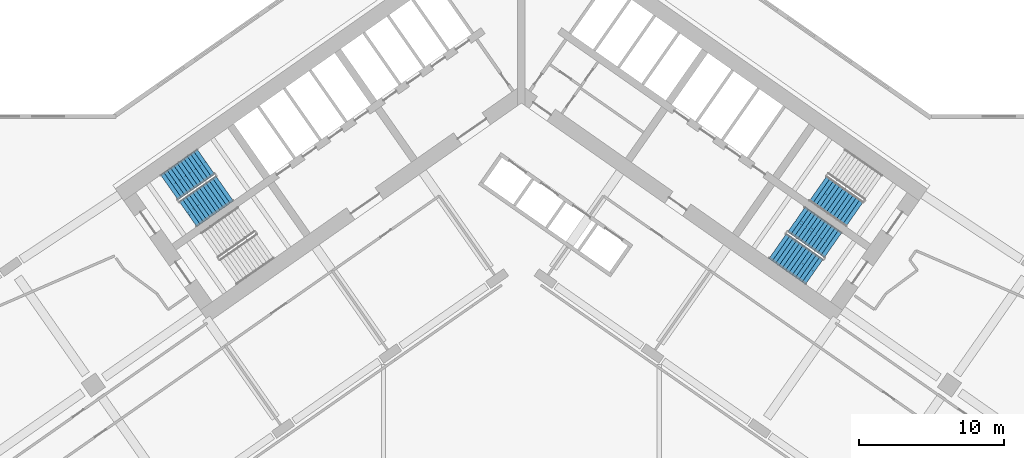
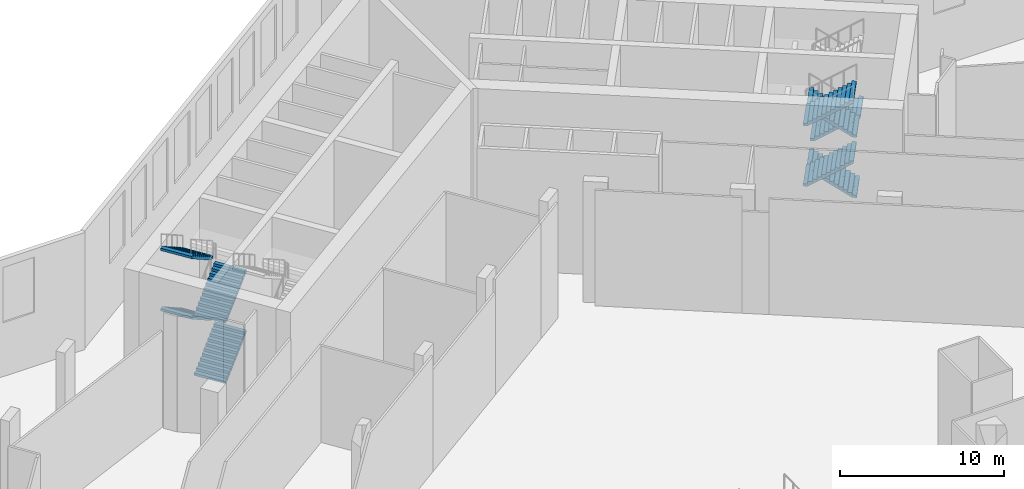
# One storey, part 17 of 27: 9 stair flights, 3 elements without a shape of their own.
"""IFC4 building model written with IfcOpenShell, lengths in metres."""

from ifc_helpers import new_model, si_unit, direction, frame, origin, place, context, subcontext, project, spatial, polyline, outline, extrude, material, type_object, element, aggregate, save


model = new_model("IFC4")

# Units and contexts
model_context = context("Model", 3, precision=1e-05, world=origin(), true_north=direction((0.0, 1.0)))
body_context = subcontext(model_context, "Body", "Model", "MODEL_VIEW")
ifc_project = project(units=[si_unit("LENGTHUNIT", "METRE"), si_unit("AREAUNIT", "SQUARE_METRE"), si_unit("VOLUMEUNIT", "CUBIC_METRE"), si_unit("PLANEANGLEUNIT", "RADIAN"), si_unit("MASSUNIT", "GRAM", prefix="KILO")], contexts=[model_context])

# Site, building, storey
site_placement = place(None, origin())
site = spatial("IfcSite", under=ifc_project, at=site_placement, CompositionType="ELEMENT")
building_placement = place(site_placement, origin())
building = spatial("IfcBuilding", under=site, at=building_placement, Name="Tel Ilan Convention Tower", CompositionType="ELEMENT")
storey_placement = place(building_placement, frame((0.0, 0.0, 9.0)))
storey = spatial("IfcBuildingStorey", under=building, at=storey_placement, Name="L01", CompositionType="ELEMENT", Elevation=9.0)

# Stair, stair flights
ifc_material_1 = material(Name="Concrete C40/50", Category="concrete")
stair_type = type_object("IfcStairType", Name="Pressurised Exit Stair 48 risers 188 mm", PredefinedType="HALF_TURN_STAIR", material=ifc_material_1)
stair_1_placement = place(storey_placement, origin())
stair_1 = element("IfcStair", 1, at=stair_1_placement, inside=storey, type_object=stair_type, Name="L01 Pressurised Stair S1", PredefinedType="HALF_TURN_STAIR")
ifc_material_2 = material(Name="Precast Concrete C40/50", Category="concrete")
stair_flight_type = type_object("IfcStairFlightType", Name="Concrete Stair Flight 2100 mm 48 risers 188 mm", PredefinedType="STRAIGHT", material=ifc_material_2)
stair_flight_1_placement = place(storey_placement, frame((-22.9619140625, -8.87548828125, 0.0), z_axis=(0.0, 0.0, 1.0), x_axis=(0.819152044289, 0.573576436351, 0.0)))
stair_flight_1 = element("IfcStairFlight", 2, at=stair_flight_1_placement, type_object=stair_flight_type, Name="S1 flight 1", NumberOfRisers=12, NumberOfTreads=11, PredefinedType="STRAIGHT", RiserHeight=0.1875, TreadLength=0.28, context=body_context, shape_type="SweptSolid", body=[
    extrude(outline(polyline([(0.0, 0.0), (0.0, 0.1875), (0.280029296875, 0.1875), (0.280029296875, 0.375), (0.56005859375, 0.375), (0.56005859375, 0.5625), (0.840087890625, 0.5625), (0.840087890625, 0.75), (1.1201171875, 0.75), (1.1201171875, 0.9375), (1.39990234375, 0.9375), (1.39990234375, 1.125), (1.679931640625, 1.125), (1.679931640625, 1.3125), (1.9599609375, 1.3125), (1.9599609375, 1.5), (2.239990234375, 1.5), (2.239990234375, 1.6875), (2.52001953125, 1.6875), (2.52001953125, 1.875), (2.800048828125, 1.875), (2.800048828125, 2.0625), (3.080078125, 2.0625), (3.080078125, 2.25), (3.080078125, 1.882080078125), (0.26953125, 0.0), (0.0, 0.0)])), frame((0.0, -0.100341796875, 0.0), z_axis=(0.0, -1.0, 0.0), x_axis=(1.0, 0.0, 0.0)), (0.0, 0.0, 1.0), 0.94970703125),
    extrude(outline(polyline([(0.0, 0.0), (0.0, 0.1875), (0.280029296875, 0.1875), (0.280029296875, 0.375), (0.56005859375, 0.375), (0.56005859375, 0.5625), (0.840087890625, 0.5625), (0.840087890625, 0.75), (1.1201171875, 0.75), (1.1201171875, 0.9375), (1.39990234375, 0.9375), (1.39990234375, 1.125), (1.679931640625, 1.125), (1.679931640625, 1.3125), (1.9599609375, 1.3125), (1.9599609375, 1.5), (2.239990234375, 1.5), (2.239990234375, 1.6875), (2.52001953125, 1.6875), (2.52001953125, 1.875), (2.800048828125, 1.875), (2.800048828125, 2.0625), (3.080078125, 2.0625), (3.080078125, 2.25), (3.080078125, 1.882080078125), (0.26953125, 0.0), (0.0, 0.0)])), frame((0.0, -0.000244140625, 0.0), z_axis=(0.0, -1.0, 0.0), x_axis=(1.0, 0.0, 0.0)), (0.0, 0.0, 1.0), 0.099609375),
    extrude(outline(polyline([(0.0, 0.0), (0.0, 0.1875), (0.280029296875, 0.1875), (0.280029296875, 0.375), (0.56005859375, 0.375), (0.56005859375, 0.5625), (0.840087890625, 0.5625), (0.840087890625, 0.75), (1.1201171875, 0.75), (1.1201171875, 0.9375), (1.39990234375, 0.9375), (1.39990234375, 1.125), (1.679931640625, 1.125), (1.679931640625, 1.3125), (1.9599609375, 1.3125), (1.9599609375, 1.5), (2.239990234375, 1.5), (2.239990234375, 1.6875), (2.52001953125, 1.6875), (2.52001953125, 1.875), (2.800048828125, 1.875), (2.800048828125, 2.0625), (3.080078125, 2.0625), (3.080078125, 2.25), (3.080078125, 1.882080078125), (0.26953125, 0.0), (0.0, 0.0)])), frame((0.0, 0.099853515625, 0.0), z_axis=(0.0, -1.0, 0.0), x_axis=(1.0, 0.0, 0.0)), (0.0, 0.0, 1.0), 0.099609375),
    extrude(outline(polyline([(0.0, 0.0), (0.0, 0.1875), (0.280029296875, 0.1875), (0.280029296875, 0.375), (0.56005859375, 0.375), (0.56005859375, 0.5625), (0.840087890625, 0.5625), (0.840087890625, 0.75), (1.1201171875, 0.75), (1.1201171875, 0.9375), (1.39990234375, 0.9375), (1.39990234375, 1.125), (1.679931640625, 1.125), (1.679931640625, 1.3125), (1.9599609375, 1.3125), (1.9599609375, 1.5), (2.239990234375, 1.5), (2.239990234375, 1.6875), (2.52001953125, 1.6875), (2.52001953125, 1.875), (2.800048828125, 1.875), (2.800048828125, 2.0625), (3.080078125, 2.0625), (3.080078125, 2.25), (3.080078125, 1.882080078125), (0.26953125, 0.0), (0.0, 0.0)])), frame((0.0, 1.050048828125, 0.0), z_axis=(0.0, -1.0, 0.0), x_axis=(1.0, 0.0, 0.0)), (0.0, 0.0, 1.0), 0.94970703125),
])
stair_flight_2_placement = place(storey_placement, frame((-21.7294921875, -5.265869140625, 2.25), z_axis=(0.0, 0.0, 1.0), x_axis=(-0.819152044289, -0.573576436351, 0.0)))
stair_flight_2 = element("IfcStairFlight", 3, at=stair_flight_2_placement, type_object=stair_flight_type, Name="S1 flight 2", NumberOfRisers=12, NumberOfTreads=11, PredefinedType="STRAIGHT", RiserHeight=0.1875, TreadLength=0.28, context=body_context, shape_type="SweptSolid", body=[
    extrude(outline(polyline([(0.0, 0.0), (0.0, 0.1875), (0.280029296875, 0.1875), (0.280029296875, 0.375), (0.56005859375, 0.375), (0.56005859375, 0.5625), (0.840087890625, 0.5625), (0.840087890625, 0.75), (1.1201171875, 0.75), (1.1201171875, 0.9375), (1.39990234375, 0.9375), (1.39990234375, 1.125), (1.679931640625, 1.125), (1.679931640625, 1.3125), (1.9599609375, 1.3125), (1.9599609375, 1.5), (2.239990234375, 1.5), (2.239990234375, 1.6875), (2.52001953125, 1.6875), (2.52001953125, 1.875), (2.800048828125, 1.875), (2.800048828125, 2.0625), (3.080078125, 2.0625), (3.080078125, 2.25), (3.080078125, 1.882080078125), (0.26953125, 0.0), (0.0, 0.0)])), frame((0.0, -0.100341796875, 0.0), z_axis=(0.0, -1.0, 0.0), x_axis=(1.0, 0.0, 0.0)), (0.0, 0.0, 1.0), 0.94970703125),
    extrude(outline(polyline([(0.0, 0.0), (0.0, 0.1875), (0.280029296875, 0.1875), (0.280029296875, 0.375), (0.56005859375, 0.375), (0.56005859375, 0.5625), (0.840087890625, 0.5625), (0.840087890625, 0.75), (1.1201171875, 0.75), (1.1201171875, 0.9375), (1.39990234375, 0.9375), (1.39990234375, 1.125), (1.679931640625, 1.125), (1.679931640625, 1.3125), (1.9599609375, 1.3125), (1.9599609375, 1.5), (2.239990234375, 1.5), (2.239990234375, 1.6875), (2.52001953125, 1.6875), (2.52001953125, 1.875), (2.800048828125, 1.875), (2.800048828125, 2.0625), (3.080078125, 2.0625), (3.080078125, 2.25), (3.080078125, 1.882080078125), (0.26953125, 0.0), (0.0, 0.0)])), frame((0.0, -0.000244140625, 0.0), z_axis=(0.0, -1.0, 0.0), x_axis=(1.0, 0.0, 0.0)), (0.0, 0.0, 1.0), 0.099609375),
    extrude(outline(polyline([(0.0, 0.0), (0.0, 0.1875), (0.280029296875, 0.1875), (0.280029296875, 0.375), (0.56005859375, 0.375), (0.56005859375, 0.5625), (0.840087890625, 0.5625), (0.840087890625, 0.75), (1.1201171875, 0.75), (1.1201171875, 0.9375), (1.39990234375, 0.9375), (1.39990234375, 1.125), (1.679931640625, 1.125), (1.679931640625, 1.3125), (1.9599609375, 1.3125), (1.9599609375, 1.5), (2.239990234375, 1.5), (2.239990234375, 1.6875), (2.52001953125, 1.6875), (2.52001953125, 1.875), (2.800048828125, 1.875), (2.800048828125, 2.0625), (3.080078125, 2.0625), (3.080078125, 2.25), (3.080078125, 1.882080078125), (0.26953125, 0.0), (0.0, 0.0)])), frame((0.0, 0.099853515625, 0.0), z_axis=(0.0, -1.0, 0.0), x_axis=(1.0, 0.0, 0.0)), (0.0, 0.0, 1.0), 0.099609375),
    extrude(outline(polyline([(0.0, 0.0), (0.0, 0.1875), (0.280029296875, 0.1875), (0.280029296875, 0.375), (0.56005859375, 0.375), (0.56005859375, 0.5625), (0.840087890625, 0.5625), (0.840087890625, 0.75), (1.1201171875, 0.75), (1.1201171875, 0.9375), (1.39990234375, 0.9375), (1.39990234375, 1.125), (1.679931640625, 1.125), (1.679931640625, 1.3125), (1.9599609375, 1.3125), (1.9599609375, 1.5), (2.239990234375, 1.5), (2.239990234375, 1.6875), (2.52001953125, 1.6875), (2.52001953125, 1.875), (2.800048828125, 1.875), (2.800048828125, 2.0625), (3.080078125, 2.0625), (3.080078125, 2.25), (3.080078125, 1.882080078125), (0.26953125, 0.0), (0.0, 0.0)])), frame((0.0, 1.050048828125, 0.0), z_axis=(0.0, -1.0, 0.0), x_axis=(1.0, 0.0, 0.0)), (0.0, 0.0, 1.0), 0.94970703125),
])
stair_flight_3_placement = place(storey_placement, frame((-22.9619140625, -8.87548828125, 4.5), z_axis=(0.0, 0.0, 1.0), x_axis=(0.819152044289, 0.573576436351, 0.0)))
stair_flight_3 = element("IfcStairFlight", 4, at=stair_flight_3_placement, type_object=stair_flight_type, Name="S1 flight 3", NumberOfRisers=12, NumberOfTreads=11, PredefinedType="STRAIGHT", RiserHeight=0.1875, TreadLength=0.28, context=body_context, shape_type="SweptSolid", body=[
    extrude(outline(polyline([(0.0, 0.0), (0.0, 0.1875), (0.280029296875, 0.1875), (0.280029296875, 0.375), (0.56005859375, 0.375), (0.56005859375, 0.5625), (0.840087890625, 0.5625), (0.840087890625, 0.75), (1.1201171875, 0.75), (1.1201171875, 0.9375), (1.39990234375, 0.9375), (1.39990234375, 1.125), (1.679931640625, 1.125), (1.679931640625, 1.3125), (1.9599609375, 1.3125), (1.9599609375, 1.5), (2.239990234375, 1.5), (2.239990234375, 1.6875), (2.52001953125, 1.6875), (2.52001953125, 1.875), (2.800048828125, 1.875), (2.800048828125, 2.0625), (3.080078125, 2.0625), (3.080078125, 2.25), (3.080078125, 1.882080078125), (0.26953125, 0.0), (0.0, 0.0)])), frame((0.0, -0.100341796875, 0.0), z_axis=(0.0, -1.0, 0.0), x_axis=(1.0, 0.0, 0.0)), (0.0, 0.0, 1.0), 0.94970703125),
    extrude(outline(polyline([(0.0, 0.0), (0.0, 0.1875), (0.280029296875, 0.1875), (0.280029296875, 0.375), (0.56005859375, 0.375), (0.56005859375, 0.5625), (0.840087890625, 0.5625), (0.840087890625, 0.75), (1.1201171875, 0.75), (1.1201171875, 0.9375), (1.39990234375, 0.9375), (1.39990234375, 1.125), (1.679931640625, 1.125), (1.679931640625, 1.3125), (1.9599609375, 1.3125), (1.9599609375, 1.5), (2.239990234375, 1.5), (2.239990234375, 1.6875), (2.52001953125, 1.6875), (2.52001953125, 1.875), (2.800048828125, 1.875), (2.800048828125, 2.0625), (3.080078125, 2.0625), (3.080078125, 2.25), (3.080078125, 1.882080078125), (0.26953125, 0.0), (0.0, 0.0)])), frame((0.0, -0.000244140625, 0.0), z_axis=(0.0, -1.0, 0.0), x_axis=(1.0, 0.0, 0.0)), (0.0, 0.0, 1.0), 0.099609375),
    extrude(outline(polyline([(0.0, 0.0), (0.0, 0.1875), (0.280029296875, 0.1875), (0.280029296875, 0.375), (0.56005859375, 0.375), (0.56005859375, 0.5625), (0.840087890625, 0.5625), (0.840087890625, 0.75), (1.1201171875, 0.75), (1.1201171875, 0.9375), (1.39990234375, 0.9375), (1.39990234375, 1.125), (1.679931640625, 1.125), (1.679931640625, 1.3125), (1.9599609375, 1.3125), (1.9599609375, 1.5), (2.239990234375, 1.5), (2.239990234375, 1.6875), (2.52001953125, 1.6875), (2.52001953125, 1.875), (2.800048828125, 1.875), (2.800048828125, 2.0625), (3.080078125, 2.0625), (3.080078125, 2.25), (3.080078125, 1.882080078125), (0.26953125, 0.0), (0.0, 0.0)])), frame((0.0, 0.099853515625, 0.0), z_axis=(0.0, -1.0, 0.0), x_axis=(1.0, 0.0, 0.0)), (0.0, 0.0, 1.0), 0.099609375),
    extrude(outline(polyline([(0.0, 0.0), (0.0, 0.1875), (0.280029296875, 0.1875), (0.280029296875, 0.375), (0.56005859375, 0.375), (0.56005859375, 0.5625), (0.840087890625, 0.5625), (0.840087890625, 0.75), (1.1201171875, 0.75), (1.1201171875, 0.9375), (1.39990234375, 0.9375), (1.39990234375, 1.125), (1.679931640625, 1.125), (1.679931640625, 1.3125), (1.9599609375, 1.3125), (1.9599609375, 1.5), (2.239990234375, 1.5), (2.239990234375, 1.6875), (2.52001953125, 1.6875), (2.52001953125, 1.875), (2.800048828125, 1.875), (2.800048828125, 2.0625), (3.080078125, 2.0625), (3.080078125, 2.25), (3.080078125, 1.882080078125), (0.26953125, 0.0), (0.0, 0.0)])), frame((0.0, 1.050048828125, 0.0), z_axis=(0.0, -1.0, 0.0), x_axis=(1.0, 0.0, 0.0)), (0.0, 0.0, 1.0), 0.94970703125),
])
stair_flight_4_placement = place(storey_placement, frame((-21.7294921875, -5.265869140625, 6.75), z_axis=(0.0, 0.0, 1.0), x_axis=(-0.819152044289, -0.573576436351, 0.0)))
stair_flight_4 = element("IfcStairFlight", 5, at=stair_flight_4_placement, type_object=stair_flight_type, Name="S1 flight 4", NumberOfRisers=12, NumberOfTreads=11, PredefinedType="STRAIGHT", RiserHeight=0.1875, TreadLength=0.28, context=body_context, shape_type="SweptSolid", body=[
    extrude(outline(polyline([(0.0, 0.0), (0.0, 0.1875), (0.280029296875, 0.1875), (0.280029296875, 0.375), (0.56005859375, 0.375), (0.56005859375, 0.5625), (0.840087890625, 0.5625), (0.840087890625, 0.75), (1.1201171875, 0.75), (1.1201171875, 0.9375), (1.39990234375, 0.9375), (1.39990234375, 1.125), (1.679931640625, 1.125), (1.679931640625, 1.3125), (1.9599609375, 1.3125), (1.9599609375, 1.5), (2.239990234375, 1.5), (2.239990234375, 1.6875), (2.52001953125, 1.6875), (2.52001953125, 1.875), (2.800048828125, 1.875), (2.800048828125, 2.0625), (3.080078125, 2.0625), (3.080078125, 2.25), (3.080078125, 1.882080078125), (0.26953125, 0.0), (0.0, 0.0)])), frame((0.0, -0.100341796875, 0.0), z_axis=(0.0, -1.0, 0.0), x_axis=(1.0, 0.0, 0.0)), (0.0, 0.0, 1.0), 0.94970703125),
    extrude(outline(polyline([(0.0, 0.0), (0.0, 0.1875), (0.280029296875, 0.1875), (0.280029296875, 0.375), (0.56005859375, 0.375), (0.56005859375, 0.5625), (0.840087890625, 0.5625), (0.840087890625, 0.75), (1.1201171875, 0.75), (1.1201171875, 0.9375), (1.39990234375, 0.9375), (1.39990234375, 1.125), (1.679931640625, 1.125), (1.679931640625, 1.3125), (1.9599609375, 1.3125), (1.9599609375, 1.5), (2.239990234375, 1.5), (2.239990234375, 1.6875), (2.52001953125, 1.6875), (2.52001953125, 1.875), (2.800048828125, 1.875), (2.800048828125, 2.0625), (3.080078125, 2.0625), (3.080078125, 2.25), (3.080078125, 1.882080078125), (0.26953125, 0.0), (0.0, 0.0)])), frame((0.0, -0.000244140625, 0.0), z_axis=(0.0, -1.0, 0.0), x_axis=(1.0, 0.0, 0.0)), (0.0, 0.0, 1.0), 0.099609375),
    extrude(outline(polyline([(0.0, 0.0), (0.0, 0.1875), (0.280029296875, 0.1875), (0.280029296875, 0.375), (0.56005859375, 0.375), (0.56005859375, 0.5625), (0.840087890625, 0.5625), (0.840087890625, 0.75), (1.1201171875, 0.75), (1.1201171875, 0.9375), (1.39990234375, 0.9375), (1.39990234375, 1.125), (1.679931640625, 1.125), (1.679931640625, 1.3125), (1.9599609375, 1.3125), (1.9599609375, 1.5), (2.239990234375, 1.5), (2.239990234375, 1.6875), (2.52001953125, 1.6875), (2.52001953125, 1.875), (2.800048828125, 1.875), (2.800048828125, 2.0625), (3.080078125, 2.0625), (3.080078125, 2.25), (3.080078125, 1.882080078125), (0.26953125, 0.0), (0.0, 0.0)])), frame((0.0, 0.099853515625, 0.0), z_axis=(0.0, -1.0, 0.0), x_axis=(1.0, 0.0, 0.0)), (0.0, 0.0, 1.0), 0.099609375),
    extrude(outline(polyline([(0.0, 0.0), (0.0, 0.1875), (0.280029296875, 0.1875), (0.280029296875, 0.375), (0.56005859375, 0.375), (0.56005859375, 0.5625), (0.840087890625, 0.5625), (0.840087890625, 0.75), (1.1201171875, 0.75), (1.1201171875, 0.9375), (1.39990234375, 0.9375), (1.39990234375, 1.125), (1.679931640625, 1.125), (1.679931640625, 1.3125), (1.9599609375, 1.3125), (1.9599609375, 1.5), (2.239990234375, 1.5), (2.239990234375, 1.6875), (2.52001953125, 1.6875), (2.52001953125, 1.875), (2.800048828125, 1.875), (2.800048828125, 2.0625), (3.080078125, 2.0625), (3.080078125, 2.25), (3.080078125, 1.882080078125), (0.26953125, 0.0), (0.0, 0.0)])), frame((0.0, 1.050048828125, 0.0), z_axis=(0.0, -1.0, 0.0), x_axis=(1.0, 0.0, 0.0)), (0.0, 0.0, 1.0), 0.94970703125),
])
aggregate(stair_1, [stair_flight_1, stair_flight_2, stair_flight_3, stair_flight_4])

# Stair, stair flight
stair_2_placement = place(storey_placement, origin())
stair_2 = element("IfcStair", 6, at=stair_2_placement, inside=storey, type_object=stair_type, Name="L01 Pressurised Stair S3", PredefinedType="HALF_TURN_STAIR")
stair_flight_5_placement = place(storey_placement, frame((20.43896484375, -7.10888671875, 2.25), z_axis=(0.0, 0.0, 1.0), x_axis=(0.819152044289, -0.573576436351, 0.0)))
stair_flight_5 = element("IfcStairFlight", 7, at=stair_flight_5_placement, type_object=stair_flight_type, Name="S3 flight 2", NumberOfRisers=12, NumberOfTreads=11, PredefinedType="STRAIGHT", RiserHeight=0.1875, TreadLength=0.28, context=body_context, shape_type="SweptSolid", body=[
    extrude(outline(polyline([(0.0, 0.0), (0.0, 0.1875), (0.280029296875, 0.1875), (0.280029296875, 0.375), (0.56005859375, 0.375), (0.56005859375, 0.5625), (0.840087890625, 0.5625), (0.840087890625, 0.75), (1.1201171875, 0.75), (1.1201171875, 0.9375), (1.39990234375, 0.9375), (1.39990234375, 1.125), (1.679931640625, 1.125), (1.679931640625, 1.3125), (1.9599609375, 1.3125), (1.9599609375, 1.5), (2.239990234375, 1.5), (2.239990234375, 1.6875), (2.52001953125, 1.6875), (2.52001953125, 1.875), (2.800048828125, 1.875), (2.800048828125, 2.0625), (3.080078125, 2.0625), (3.080078125, 2.25), (3.080078125, 1.882080078125), (0.26953125, 0.0), (0.0, 0.0)])), frame((0.0, -0.100341796875, 0.0), z_axis=(0.0, -1.0, 0.0), x_axis=(1.0, 0.0, 0.0)), (0.0, 0.0, 1.0), 0.94970703125),
    extrude(outline(polyline([(0.0, 0.0), (0.0, 0.1875), (0.280029296875, 0.1875), (0.280029296875, 0.375), (0.56005859375, 0.375), (0.56005859375, 0.5625), (0.840087890625, 0.5625), (0.840087890625, 0.75), (1.1201171875, 0.75), (1.1201171875, 0.9375), (1.39990234375, 0.9375), (1.39990234375, 1.125), (1.679931640625, 1.125), (1.679931640625, 1.3125), (1.9599609375, 1.3125), (1.9599609375, 1.5), (2.239990234375, 1.5), (2.239990234375, 1.6875), (2.52001953125, 1.6875), (2.52001953125, 1.875), (2.800048828125, 1.875), (2.800048828125, 2.0625), (3.080078125, 2.0625), (3.080078125, 2.25), (3.080078125, 1.882080078125), (0.26953125, 0.0), (0.0, 0.0)])), frame((0.0, -0.000244140625, 0.0), z_axis=(0.0, -1.0, 0.0), x_axis=(1.0, 0.0, 0.0)), (0.0, 0.0, 1.0), 0.099609375),
    extrude(outline(polyline([(0.0, 0.0), (0.0, 0.1875), (0.280029296875, 0.1875), (0.280029296875, 0.375), (0.56005859375, 0.375), (0.56005859375, 0.5625), (0.840087890625, 0.5625), (0.840087890625, 0.75), (1.1201171875, 0.75), (1.1201171875, 0.9375), (1.39990234375, 0.9375), (1.39990234375, 1.125), (1.679931640625, 1.125), (1.679931640625, 1.3125), (1.9599609375, 1.3125), (1.9599609375, 1.5), (2.239990234375, 1.5), (2.239990234375, 1.6875), (2.52001953125, 1.6875), (2.52001953125, 1.875), (2.800048828125, 1.875), (2.800048828125, 2.0625), (3.080078125, 2.0625), (3.080078125, 2.25), (3.080078125, 1.882080078125), (0.26953125, 0.0), (0.0, 0.0)])), frame((0.0, 0.099853515625, 0.0), z_axis=(0.0, -1.0, 0.0), x_axis=(1.0, 0.0, 0.0)), (0.0, 0.0, 1.0), 0.099609375),
    extrude(outline(polyline([(0.0, 0.0), (0.0, 0.1875), (0.280029296875, 0.1875), (0.280029296875, 0.375), (0.56005859375, 0.375), (0.56005859375, 0.5625), (0.840087890625, 0.5625), (0.840087890625, 0.75), (1.1201171875, 0.75), (1.1201171875, 0.9375), (1.39990234375, 0.9375), (1.39990234375, 1.125), (1.679931640625, 1.125), (1.679931640625, 1.3125), (1.9599609375, 1.3125), (1.9599609375, 1.5), (2.239990234375, 1.5), (2.239990234375, 1.6875), (2.52001953125, 1.6875), (2.52001953125, 1.875), (2.800048828125, 1.875), (2.800048828125, 2.0625), (3.080078125, 2.0625), (3.080078125, 2.25), (3.080078125, 1.882080078125), (0.26953125, 0.0), (0.0, 0.0)])), frame((0.0, 1.050048828125, 0.0), z_axis=(0.0, -1.0, 0.0), x_axis=(1.0, 0.0, 0.0)), (0.0, 0.0, 1.0), 0.94970703125),
])
aggregate(stair_2, [stair_flight_5])

# Stair, stair flights
stair_3_placement = place(storey_placement, origin())
stair_3 = element("IfcStair", 8, at=stair_3_placement, inside=storey, type_object=stair_type, Name="L01 Pressurised Stair S4", PredefinedType="HALF_TURN_STAIR")
stair_flight_6_placement = place(storey_placement, frame((21.470458984375, -11.00537109375, 0.0), z_axis=(0.0, 0.0, 1.0), x_axis=(-0.819152044289, 0.573576436351, 0.0)))
stair_flight_6 = element("IfcStairFlight", 9, at=stair_flight_6_placement, type_object=stair_flight_type, Name="S4 flight 1", NumberOfRisers=12, NumberOfTreads=11, PredefinedType="STRAIGHT", RiserHeight=0.1875, TreadLength=0.28, context=body_context, shape_type="SweptSolid", body=[
    extrude(outline(polyline([(0.0, 0.0), (0.0, 0.1875), (0.280029296875, 0.1875), (0.280029296875, 0.375), (0.56005859375, 0.375), (0.56005859375, 0.5625), (0.840087890625, 0.5625), (0.840087890625, 0.75), (1.1201171875, 0.75), (1.1201171875, 0.9375), (1.39990234375, 0.9375), (1.39990234375, 1.125), (1.679931640625, 1.125), (1.679931640625, 1.3125), (1.9599609375, 1.3125), (1.9599609375, 1.5), (2.239990234375, 1.5), (2.239990234375, 1.6875), (2.52001953125, 1.6875), (2.52001953125, 1.875), (2.800048828125, 1.875), (2.800048828125, 2.0625), (3.080078125, 2.0625), (3.080078125, 2.25), (3.080078125, 1.882080078125), (0.26953125, 0.0), (0.0, 0.0)])), frame((0.0, -0.100341796875, 0.0), z_axis=(0.0, -1.0, 0.0), x_axis=(1.0, 0.0, 0.0)), (0.0, 0.0, 1.0), 0.94970703125),
    extrude(outline(polyline([(0.0, 0.0), (0.0, 0.1875), (0.280029296875, 0.1875), (0.280029296875, 0.375), (0.56005859375, 0.375), (0.56005859375, 0.5625), (0.840087890625, 0.5625), (0.840087890625, 0.75), (1.1201171875, 0.75), (1.1201171875, 0.9375), (1.39990234375, 0.9375), (1.39990234375, 1.125), (1.679931640625, 1.125), (1.679931640625, 1.3125), (1.9599609375, 1.3125), (1.9599609375, 1.5), (2.239990234375, 1.5), (2.239990234375, 1.6875), (2.52001953125, 1.6875), (2.52001953125, 1.875), (2.800048828125, 1.875), (2.800048828125, 2.0625), (3.080078125, 2.0625), (3.080078125, 2.25), (3.080078125, 1.882080078125), (0.26953125, 0.0), (0.0, 0.0)])), frame((0.0, -0.000244140625, 0.0), z_axis=(0.0, -1.0, 0.0), x_axis=(1.0, 0.0, 0.0)), (0.0, 0.0, 1.0), 0.099609375),
    extrude(outline(polyline([(0.0, 0.0), (0.0, 0.1875), (0.280029296875, 0.1875), (0.280029296875, 0.375), (0.56005859375, 0.375), (0.56005859375, 0.5625), (0.840087890625, 0.5625), (0.840087890625, 0.75), (1.1201171875, 0.75), (1.1201171875, 0.9375), (1.39990234375, 0.9375), (1.39990234375, 1.125), (1.679931640625, 1.125), (1.679931640625, 1.3125), (1.9599609375, 1.3125), (1.9599609375, 1.5), (2.239990234375, 1.5), (2.239990234375, 1.6875), (2.52001953125, 1.6875), (2.52001953125, 1.875), (2.800048828125, 1.875), (2.800048828125, 2.0625), (3.080078125, 2.0625), (3.080078125, 2.25), (3.080078125, 1.882080078125), (0.26953125, 0.0), (0.0, 0.0)])), frame((0.0, 0.099853515625, 0.0), z_axis=(0.0, -1.0, 0.0), x_axis=(1.0, 0.0, 0.0)), (0.0, 0.0, 1.0), 0.099609375),
    extrude(outline(polyline([(0.0, 0.0), (0.0, 0.1875), (0.280029296875, 0.1875), (0.280029296875, 0.375), (0.56005859375, 0.375), (0.56005859375, 0.5625), (0.840087890625, 0.5625), (0.840087890625, 0.75), (1.1201171875, 0.75), (1.1201171875, 0.9375), (1.39990234375, 0.9375), (1.39990234375, 1.125), (1.679931640625, 1.125), (1.679931640625, 1.3125), (1.9599609375, 1.3125), (1.9599609375, 1.5), (2.239990234375, 1.5), (2.239990234375, 1.6875), (2.52001953125, 1.6875), (2.52001953125, 1.875), (2.800048828125, 1.875), (2.800048828125, 2.0625), (3.080078125, 2.0625), (3.080078125, 2.25), (3.080078125, 1.882080078125), (0.26953125, 0.0), (0.0, 0.0)])), frame((0.0, 1.050048828125, 0.0), z_axis=(0.0, -1.0, 0.0), x_axis=(1.0, 0.0, 0.0)), (0.0, 0.0, 1.0), 0.94970703125),
])
stair_flight_7_placement = place(storey_placement, frame((17.656982421875, -11.081787109375, 2.25), z_axis=(0.0, 0.0, 1.0), x_axis=(0.819152044289, -0.573576436351, 0.0)))
stair_flight_7 = element("IfcStairFlight", 10, at=stair_flight_7_placement, type_object=stair_flight_type, Name="S4 flight 2", NumberOfRisers=12, NumberOfTreads=11, PredefinedType="STRAIGHT", RiserHeight=0.1875, TreadLength=0.28, context=body_context, shape_type="SweptSolid", body=[
    extrude(outline(polyline([(0.0, 0.0), (0.0, 0.1875), (0.280029296875, 0.1875), (0.280029296875, 0.375), (0.56005859375, 0.375), (0.56005859375, 0.5625), (0.840087890625, 0.5625), (0.840087890625, 0.75), (1.1201171875, 0.75), (1.1201171875, 0.9375), (1.39990234375, 0.9375), (1.39990234375, 1.125), (1.679931640625, 1.125), (1.679931640625, 1.3125), (1.9599609375, 1.3125), (1.9599609375, 1.5), (2.239990234375, 1.5), (2.239990234375, 1.6875), (2.52001953125, 1.6875), (2.52001953125, 1.875), (2.800048828125, 1.875), (2.800048828125, 2.0625), (3.080078125, 2.0625), (3.080078125, 2.25), (3.080078125, 1.882080078125), (0.26953125, 0.0), (0.0, 0.0)])), frame((0.0, -0.100341796875, 0.0), z_axis=(0.0, -1.0, 0.0), x_axis=(1.0, 0.0, 0.0)), (0.0, 0.0, 1.0), 0.94970703125),
    extrude(outline(polyline([(0.0, 0.0), (0.0, 0.1875), (0.280029296875, 0.1875), (0.280029296875, 0.375), (0.56005859375, 0.375), (0.56005859375, 0.5625), (0.840087890625, 0.5625), (0.840087890625, 0.75), (1.1201171875, 0.75), (1.1201171875, 0.9375), (1.39990234375, 0.9375), (1.39990234375, 1.125), (1.679931640625, 1.125), (1.679931640625, 1.3125), (1.9599609375, 1.3125), (1.9599609375, 1.5), (2.239990234375, 1.5), (2.239990234375, 1.6875), (2.52001953125, 1.6875), (2.52001953125, 1.875), (2.800048828125, 1.875), (2.800048828125, 2.0625), (3.080078125, 2.0625), (3.080078125, 2.25), (3.080078125, 1.882080078125), (0.26953125, 0.0), (0.0, 0.0)])), frame((0.0, -0.000244140625, 0.0), z_axis=(0.0, -1.0, 0.0), x_axis=(1.0, 0.0, 0.0)), (0.0, 0.0, 1.0), 0.099609375),
    extrude(outline(polyline([(0.0, 0.0), (0.0, 0.1875), (0.280029296875, 0.1875), (0.280029296875, 0.375), (0.56005859375, 0.375), (0.56005859375, 0.5625), (0.840087890625, 0.5625), (0.840087890625, 0.75), (1.1201171875, 0.75), (1.1201171875, 0.9375), (1.39990234375, 0.9375), (1.39990234375, 1.125), (1.679931640625, 1.125), (1.679931640625, 1.3125), (1.9599609375, 1.3125), (1.9599609375, 1.5), (2.239990234375, 1.5), (2.239990234375, 1.6875), (2.52001953125, 1.6875), (2.52001953125, 1.875), (2.800048828125, 1.875), (2.800048828125, 2.0625), (3.080078125, 2.0625), (3.080078125, 2.25), (3.080078125, 1.882080078125), (0.26953125, 0.0), (0.0, 0.0)])), frame((0.0, 0.099853515625, 0.0), z_axis=(0.0, -1.0, 0.0), x_axis=(1.0, 0.0, 0.0)), (0.0, 0.0, 1.0), 0.099609375),
    extrude(outline(polyline([(0.0, 0.0), (0.0, 0.1875), (0.280029296875, 0.1875), (0.280029296875, 0.375), (0.56005859375, 0.375), (0.56005859375, 0.5625), (0.840087890625, 0.5625), (0.840087890625, 0.75), (1.1201171875, 0.75), (1.1201171875, 0.9375), (1.39990234375, 0.9375), (1.39990234375, 1.125), (1.679931640625, 1.125), (1.679931640625, 1.3125), (1.9599609375, 1.3125), (1.9599609375, 1.5), (2.239990234375, 1.5), (2.239990234375, 1.6875), (2.52001953125, 1.6875), (2.52001953125, 1.875), (2.800048828125, 1.875), (2.800048828125, 2.0625), (3.080078125, 2.0625), (3.080078125, 2.25), (3.080078125, 1.882080078125), (0.26953125, 0.0), (0.0, 0.0)])), frame((0.0, 1.050048828125, 0.0), z_axis=(0.0, -1.0, 0.0), x_axis=(1.0, 0.0, 0.0)), (0.0, 0.0, 1.0), 0.94970703125),
])
stair_flight_8_placement = place(storey_placement, frame((21.470458984375, -11.00537109375, 4.5), z_axis=(0.0, 0.0, 1.0), x_axis=(-0.819152044289, 0.573576436351, 0.0)))
stair_flight_8 = element("IfcStairFlight", 11, at=stair_flight_8_placement, type_object=stair_flight_type, Name="S4 flight 3", NumberOfRisers=12, NumberOfTreads=11, PredefinedType="STRAIGHT", RiserHeight=0.1875, TreadLength=0.28, context=body_context, shape_type="SweptSolid", body=[
    extrude(outline(polyline([(0.0, 0.0), (0.0, 0.1875), (0.280029296875, 0.1875), (0.280029296875, 0.375), (0.56005859375, 0.375), (0.56005859375, 0.5625), (0.840087890625, 0.5625), (0.840087890625, 0.75), (1.1201171875, 0.75), (1.1201171875, 0.9375), (1.39990234375, 0.9375), (1.39990234375, 1.125), (1.679931640625, 1.125), (1.679931640625, 1.3125), (1.9599609375, 1.3125), (1.9599609375, 1.5), (2.239990234375, 1.5), (2.239990234375, 1.6875), (2.52001953125, 1.6875), (2.52001953125, 1.875), (2.800048828125, 1.875), (2.800048828125, 2.0625), (3.080078125, 2.0625), (3.080078125, 2.25), (3.080078125, 1.882080078125), (0.26953125, 0.0), (0.0, 0.0)])), frame((0.0, -0.100341796875, 0.0), z_axis=(0.0, -1.0, 0.0), x_axis=(1.0, 0.0, 0.0)), (0.0, 0.0, 1.0), 0.94970703125),
    extrude(outline(polyline([(0.0, 0.0), (0.0, 0.1875), (0.280029296875, 0.1875), (0.280029296875, 0.375), (0.56005859375, 0.375), (0.56005859375, 0.5625), (0.840087890625, 0.5625), (0.840087890625, 0.75), (1.1201171875, 0.75), (1.1201171875, 0.9375), (1.39990234375, 0.9375), (1.39990234375, 1.125), (1.679931640625, 1.125), (1.679931640625, 1.3125), (1.9599609375, 1.3125), (1.9599609375, 1.5), (2.239990234375, 1.5), (2.239990234375, 1.6875), (2.52001953125, 1.6875), (2.52001953125, 1.875), (2.800048828125, 1.875), (2.800048828125, 2.0625), (3.080078125, 2.0625), (3.080078125, 2.25), (3.080078125, 1.882080078125), (0.26953125, 0.0), (0.0, 0.0)])), frame((0.0, -0.000244140625, 0.0), z_axis=(0.0, -1.0, 0.0), x_axis=(1.0, 0.0, 0.0)), (0.0, 0.0, 1.0), 0.099609375),
    extrude(outline(polyline([(0.0, 0.0), (0.0, 0.1875), (0.280029296875, 0.1875), (0.280029296875, 0.375), (0.56005859375, 0.375), (0.56005859375, 0.5625), (0.840087890625, 0.5625), (0.840087890625, 0.75), (1.1201171875, 0.75), (1.1201171875, 0.9375), (1.39990234375, 0.9375), (1.39990234375, 1.125), (1.679931640625, 1.125), (1.679931640625, 1.3125), (1.9599609375, 1.3125), (1.9599609375, 1.5), (2.239990234375, 1.5), (2.239990234375, 1.6875), (2.52001953125, 1.6875), (2.52001953125, 1.875), (2.800048828125, 1.875), (2.800048828125, 2.0625), (3.080078125, 2.0625), (3.080078125, 2.25), (3.080078125, 1.882080078125), (0.26953125, 0.0), (0.0, 0.0)])), frame((0.0, 0.099853515625, 0.0), z_axis=(0.0, -1.0, 0.0), x_axis=(1.0, 0.0, 0.0)), (0.0, 0.0, 1.0), 0.099609375),
    extrude(outline(polyline([(0.0, 0.0), (0.0, 0.1875), (0.280029296875, 0.1875), (0.280029296875, 0.375), (0.56005859375, 0.375), (0.56005859375, 0.5625), (0.840087890625, 0.5625), (0.840087890625, 0.75), (1.1201171875, 0.75), (1.1201171875, 0.9375), (1.39990234375, 0.9375), (1.39990234375, 1.125), (1.679931640625, 1.125), (1.679931640625, 1.3125), (1.9599609375, 1.3125), (1.9599609375, 1.5), (2.239990234375, 1.5), (2.239990234375, 1.6875), (2.52001953125, 1.6875), (2.52001953125, 1.875), (2.800048828125, 1.875), (2.800048828125, 2.0625), (3.080078125, 2.0625), (3.080078125, 2.25), (3.080078125, 1.882080078125), (0.26953125, 0.0), (0.0, 0.0)])), frame((0.0, 1.050048828125, 0.0), z_axis=(0.0, -1.0, 0.0), x_axis=(1.0, 0.0, 0.0)), (0.0, 0.0, 1.0), 0.94970703125),
])
stair_flight_9_placement = place(storey_placement, frame((17.656982421875, -11.081787109375, 6.75), z_axis=(0.0, 0.0, 1.0), x_axis=(0.819152044289, -0.573576436351, 0.0)))
stair_flight_9 = element("IfcStairFlight", 12, at=stair_flight_9_placement, type_object=stair_flight_type, Name="S4 flight 4", NumberOfRisers=12, NumberOfTreads=11, PredefinedType="STRAIGHT", RiserHeight=0.1875, TreadLength=0.28, context=body_context, shape_type="SweptSolid", body=[
    extrude(outline(polyline([(0.0, 0.0), (0.0, 0.1875), (0.280029296875, 0.1875), (0.280029296875, 0.375), (0.56005859375, 0.375), (0.56005859375, 0.5625), (0.840087890625, 0.5625), (0.840087890625, 0.75), (1.1201171875, 0.75), (1.1201171875, 0.9375), (1.39990234375, 0.9375), (1.39990234375, 1.125), (1.679931640625, 1.125), (1.679931640625, 1.3125), (1.9599609375, 1.3125), (1.9599609375, 1.5), (2.239990234375, 1.5), (2.239990234375, 1.6875), (2.52001953125, 1.6875), (2.52001953125, 1.875), (2.800048828125, 1.875), (2.800048828125, 2.0625), (3.080078125, 2.0625), (3.080078125, 2.25), (3.080078125, 1.882080078125), (0.26953125, 0.0), (0.0, 0.0)])), frame((0.0, -0.100341796875, 0.0), z_axis=(0.0, -1.0, 0.0), x_axis=(1.0, 0.0, 0.0)), (0.0, 0.0, 1.0), 0.94970703125),
    extrude(outline(polyline([(0.0, 0.0), (0.0, 0.1875), (0.280029296875, 0.1875), (0.280029296875, 0.375), (0.56005859375, 0.375), (0.56005859375, 0.5625), (0.840087890625, 0.5625), (0.840087890625, 0.75), (1.1201171875, 0.75), (1.1201171875, 0.9375), (1.39990234375, 0.9375), (1.39990234375, 1.125), (1.679931640625, 1.125), (1.679931640625, 1.3125), (1.9599609375, 1.3125), (1.9599609375, 1.5), (2.239990234375, 1.5), (2.239990234375, 1.6875), (2.52001953125, 1.6875), (2.52001953125, 1.875), (2.800048828125, 1.875), (2.800048828125, 2.0625), (3.080078125, 2.0625), (3.080078125, 2.25), (3.080078125, 1.882080078125), (0.26953125, 0.0), (0.0, 0.0)])), frame((0.0, -0.000244140625, 0.0), z_axis=(0.0, -1.0, 0.0), x_axis=(1.0, 0.0, 0.0)), (0.0, 0.0, 1.0), 0.099609375),
    extrude(outline(polyline([(0.0, 0.0), (0.0, 0.1875), (0.280029296875, 0.1875), (0.280029296875, 0.375), (0.56005859375, 0.375), (0.56005859375, 0.5625), (0.840087890625, 0.5625), (0.840087890625, 0.75), (1.1201171875, 0.75), (1.1201171875, 0.9375), (1.39990234375, 0.9375), (1.39990234375, 1.125), (1.679931640625, 1.125), (1.679931640625, 1.3125), (1.9599609375, 1.3125), (1.9599609375, 1.5), (2.239990234375, 1.5), (2.239990234375, 1.6875), (2.52001953125, 1.6875), (2.52001953125, 1.875), (2.800048828125, 1.875), (2.800048828125, 2.0625), (3.080078125, 2.0625), (3.080078125, 2.25), (3.080078125, 1.882080078125), (0.26953125, 0.0), (0.0, 0.0)])), frame((0.0, 0.099853515625, 0.0), z_axis=(0.0, -1.0, 0.0), x_axis=(1.0, 0.0, 0.0)), (0.0, 0.0, 1.0), 0.099609375),
    extrude(outline(polyline([(0.0, 0.0), (0.0, 0.1875), (0.280029296875, 0.1875), (0.280029296875, 0.375), (0.56005859375, 0.375), (0.56005859375, 0.5625), (0.840087890625, 0.5625), (0.840087890625, 0.75), (1.1201171875, 0.75), (1.1201171875, 0.9375), (1.39990234375, 0.9375), (1.39990234375, 1.125), (1.679931640625, 1.125), (1.679931640625, 1.3125), (1.9599609375, 1.3125), (1.9599609375, 1.5), (2.239990234375, 1.5), (2.239990234375, 1.6875), (2.52001953125, 1.6875), (2.52001953125, 1.875), (2.800048828125, 1.875), (2.800048828125, 2.0625), (3.080078125, 2.0625), (3.080078125, 2.25), (3.080078125, 1.882080078125), (0.26953125, 0.0), (0.0, 0.0)])), frame((0.0, 1.050048828125, 0.0), z_axis=(0.0, -1.0, 0.0), x_axis=(1.0, 0.0, 0.0)), (0.0, 0.0, 1.0), 0.94970703125),
])
aggregate(stair_3, [stair_flight_6, stair_flight_7, stair_flight_8, stair_flight_9])

save(model, "model.ifc")
